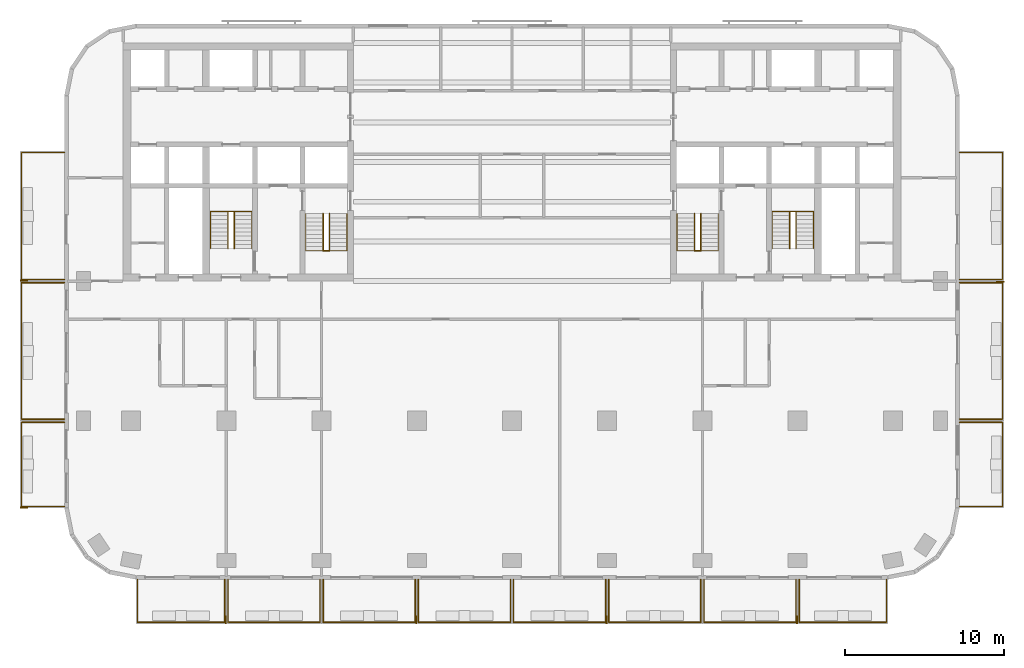
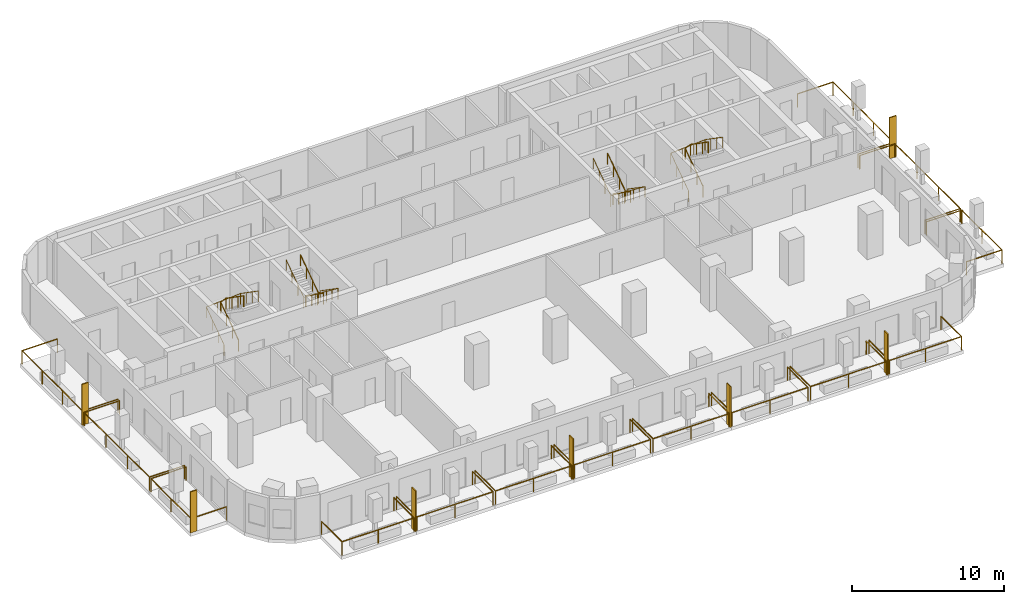
# One storey, part 9 of 11: 22 railings, 7 shading devices.
"""IFC4 building model written with IfcOpenShell, lengths in metres."""

from ifc_helpers import new_model, si_unit, direction, frame, origin, origin_2d, place, context, subcontext, project, spatial, rectangle, circle, extrude, material, layer, layer_set, type_object, element, save


model = new_model("IFC4")

# Units and contexts
model_context = context("Model", 3, precision=1e-05, world=origin(), true_north=direction((0.0, 1.0)))
body_context = subcontext(model_context, "Body", "Model", "MODEL_VIEW")
ifc_project = project(units=[si_unit("LENGTHUNIT", "METRE"), si_unit("AREAUNIT", "SQUARE_METRE"), si_unit("VOLUMEUNIT", "CUBIC_METRE"), si_unit("PLANEANGLEUNIT", "RADIAN"), si_unit("MASSUNIT", "GRAM", prefix="KILO")], contexts=[model_context])

# Site, building, storey
site_placement = place(None, origin())
site = spatial("IfcSite", under=ifc_project, at=site_placement, CompositionType="ELEMENT")
building_placement = place(site_placement, origin())
building = spatial("IfcBuilding", under=site, at=building_placement, Name="Torana Hotel and Residences", CompositionType="ELEMENT")
storey_placement = place(building_placement, frame((0.0, 0.0, 174.0)))
storey = spatial("IfcBuildingStorey", under=building, at=storey_placement, Name="L45", CompositionType="ELEMENT", Elevation=174.0)

# Shading devices
ifc_material_1 = material(Name="Black powder coated aluminium", Category="aluminium")
ifc_layer = layer(ifc_material_1, 0.080078125)
ifc_layer_set = layer_set([ifc_layer], Name="FN1 VERTICAL FIN 500x80")
shading_device_type = type_object("IfcShadingDeviceType", Name="FN1 VERTICAL FIN 500x80", PredefinedType="USERDEFINED", material=ifc_layer_set)
for number, where, z_axis, x_axis, name in (
    (1, (-18.0400390625, -36.35009765625, 0.0), (0.0, 0.0, 1.0), (-1.0, 0.0, 0.0), "Fin 01"),
    (2, (-6.0400390625, -36.35009765625, 0.0), (0.0, 0.0, 1.0), (-1.0, 0.0, 0.0), "Fin 03"),
    (3, (5.9599609375, -36.35009765625, 0.0), (0.0, 0.0, 1.0), (-1.0, 0.0, 0.0), "Fin 05"),
    (4, (17.9599609375, -36.35009765625, 0.0), (0.0, 0.0, 1.0), (-1.0, 0.0, 0.0), "Fin 07"),
    (5, (-30.75, -29.260009765625, 0.0), (0.0, 0.0, 1.0), (0.0, 1.0, 0.0), "Fin 09"),
    (6, (-30.75, -14.9599609375, 0.0), (0.0, 0.0, 1.0), (0.0, 1.0, 0.0), "Fin 11"),
    (7, (30.75, -15.0400390625, 0.0), (0.0, 0.0, 1.0), (0.0, -1.0, 0.0), "Fin 13"),
):
    element("IfcShadingDevice", number, at=place(storey_placement, frame(where, z_axis=z_axis, x_axis=x_axis)), inside=storey, type_object=shading_device_type, Name=name, ObjectType="FIN", PredefinedType="USERDEFINED", context=body_context, shape_type="SweptSolid", body=[
        extrude(rectangle(XDim=0.080078125, YDim=0.5, at=origin_2d()), origin(), (0.0, 0.0, 1.0), 3.300048828125),
    ])

# Railings
ifc_material_2 = material(Name="Laminated glass balustrade with black handrail", Category="glass")
railing_type_1 = type_object("IfcRailingType", Name="GR1 BALCONY GUARD 1100 GLASS", PredefinedType="GUARDRAIL", material=ifc_material_2)
railing_1_placement = place(storey_placement, frame((-18.10009765625, -33.800048828125, 0.0)))
element("IfcRailing", 8, at=railing_1_placement, inside=storey, type_object=railing_type_1, Name="Balcony guard 01", PredefinedType="GUARDRAIL", context=body_context, shape_type="SweptSolid", body=[
    extrude(circle(Radius=0.02392578125, at=origin_2d()), frame((0.0, 0.0, 1.076171875), z_axis=(0.0, -1.0, 0.0), x_axis=(1.0, 0.0, 0.0)), (0.0, 0.0, 1.0), 2.699951171875),
    extrude(circle(Radius=0.02392578125, at=origin_2d()), frame((0.0, -2.699951171875, 1.076171875), z_axis=(-1.0, 0.0, 0.0), x_axis=(0.0, -1.0, 0.0)), (0.0, 0.0, 1.0), 5.5),
    extrude(circle(Radius=0.02392578125, at=origin_2d()), frame((-5.5, -2.699951171875, 1.076171875), z_axis=(0.0, 1.0, 0.0), x_axis=(-1.0, 0.0, 0.0)), (0.0, 0.0, 1.0), 2.699951171875),
    extrude(circle(Radius=0.02099609375, at=origin_2d()), origin(), (0.0, 0.0, 1.0), 1.052001953125),
    extrude(circle(Radius=0.02099609375, at=origin_2d()), frame((0.0, -2.699951171875, 0.0)), (0.0, 0.0, 1.0), 1.052001953125),
    extrude(circle(Radius=0.02099609375, at=origin_2d()), frame((-2.75, -2.699951171875, 0.0)), (0.0, 0.0, 1.0), 1.052001953125),
    extrude(circle(Radius=0.02099609375, at=origin_2d()), frame((-5.5, -2.699951171875, 0.0)), (0.0, 0.0, 1.0), 1.052001953125),
    extrude(circle(Radius=0.02099609375, at=origin_2d()), frame((-5.5, 0.0, 0.0)), (0.0, 0.0, 1.0), 1.052001953125),
])
for number, where, name in (
    (9, (-12.10009765625, -33.800048828125, 0.0), "Balcony guard 02"),
    (10, (-6.10009765625, -33.800048828125, 0.0), "Balcony guard 03"),
    (11, (-0.10009765625, -33.800048828125, 0.0), "Balcony guard 04"),
    (12, (5.89990234375, -33.800048828125, 0.0), "Balcony guard 05"),
    (13, (11.89990234375, -33.800048828125, 0.0), "Balcony guard 06"),
    (14, (17.89990234375, -33.800048828125, 0.0), "Balcony guard 07"),
):
    element("IfcRailing", number, at=place(storey_placement, frame(where)), inside=storey, type_object=railing_type_1, Name=name, PredefinedType="GUARDRAIL", context=body_context, shape_type="SweptSolid", body=[
        extrude(circle(Radius=0.02392578125, at=origin_2d()), frame((0.0, 0.0, 1.076171875), z_axis=(0.0, -1.0, 0.0), x_axis=(1.0, 0.0, 0.0)), (0.0, 0.0, 1.0), 2.699951171875),
        extrude(circle(Radius=0.02392578125, at=origin_2d()), frame((0.0, -2.699951171875, 1.076171875), z_axis=(-1.0, 0.0, 0.0), x_axis=(0.0, -1.0, 0.0)), (0.0, 0.0, 1.0), 5.7998046875),
        extrude(circle(Radius=0.02392578125, at=origin_2d()), frame((-5.7998046875, -2.699951171875, 1.076171875), z_axis=(0.0, 1.0, 0.0), x_axis=(-1.0, 0.0, 0.0)), (0.0, 0.0, 1.0), 2.699951171875),
        extrude(circle(Radius=0.02099609375, at=origin_2d()), origin(), (0.0, 0.0, 1.0), 1.052001953125),
        extrude(circle(Radius=0.02099609375, at=origin_2d()), frame((0.0, -2.699951171875, 0.0)), (0.0, 0.0, 1.0), 1.052001953125),
        extrude(circle(Radius=0.02099609375, at=origin_2d()), frame((-2.89990234375, -2.699951171875, 0.0)), (0.0, 0.0, 1.0), 1.052001953125),
        extrude(circle(Radius=0.02099609375, at=origin_2d()), frame((-5.7998046875, -2.699951171875, 0.0)), (0.0, 0.0, 1.0), 1.052001953125),
        extrude(circle(Radius=0.02099609375, at=origin_2d()), frame((-5.7998046875, 0.0, 0.0)), (0.0, 0.0, 1.0), 1.052001953125),
    ])
railing_2_placement = place(storey_placement, frame((23.60009765625, -33.800048828125, 0.0)))
element("IfcRailing", 15, at=railing_2_placement, inside=storey, type_object=railing_type_1, Name="Balcony guard 08", PredefinedType="GUARDRAIL", context=body_context, shape_type="SweptSolid", body=[
    extrude(circle(Radius=0.02392578125, at=origin_2d()), frame((0.0, 0.0, 1.076171875), z_axis=(0.0, -1.0, 0.0), x_axis=(1.0, 0.0, 0.0)), (0.0, 0.0, 1.0), 2.699951171875),
    extrude(circle(Radius=0.02392578125, at=origin_2d()), frame((0.0, -2.699951171875, 1.076171875), z_axis=(-1.0, 0.0, 0.0), x_axis=(0.0, -1.0, 0.0)), (0.0, 0.0, 1.0), 5.5),
    extrude(circle(Radius=0.02392578125, at=origin_2d()), frame((-5.5, -2.699951171875, 1.076171875), z_axis=(0.0, 1.0, 0.0), x_axis=(-1.0, 0.0, 0.0)), (0.0, 0.0, 1.0), 2.699951171875),
    extrude(circle(Radius=0.02099609375, at=origin_2d()), origin(), (0.0, 0.0, 1.0), 1.052001953125),
    extrude(circle(Radius=0.02099609375, at=origin_2d()), frame((0.0, -2.699951171875, 0.0)), (0.0, 0.0, 1.0), 1.052001953125),
    extrude(circle(Radius=0.02099609375, at=origin_2d()), frame((-2.75, -2.699951171875, 0.0)), (0.0, 0.0, 1.0), 1.052001953125),
    extrude(circle(Radius=0.02099609375, at=origin_2d()), frame((-5.5, -2.699951171875, 0.0)), (0.0, 0.0, 1.0), 1.052001953125),
    extrude(circle(Radius=0.02099609375, at=origin_2d()), frame((-5.5, 0.0, 0.0)), (0.0, 0.0, 1.0), 1.052001953125),
])
railing_3_placement = place(storey_placement, frame((-28.199951171875, -29.199951171875, 0.0)))
element("IfcRailing", 16, at=railing_3_placement, inside=storey, type_object=railing_type_1, Name="Balcony guard 09", PredefinedType="GUARDRAIL", context=body_context, shape_type="SweptSolid", body=[
    extrude(circle(Radius=0.02392578125, at=origin_2d()), frame((0.0, 0.0, 1.076171875), z_axis=(-1.0, 0.0, 0.0), x_axis=(0.0, -1.0, 0.0)), (0.0, 0.0, 1.0), 2.699951171875),
    extrude(circle(Radius=0.02392578125, at=origin_2d()), frame((-2.699951171875, 0.0, 1.076171875), z_axis=(0.0, 1.0, 0.0), x_axis=(-1.0, 0.0, 0.0)), (0.0, 0.0, 1.0), 5.300048828125),
    extrude(circle(Radius=0.02392578125, at=origin_2d()), frame((-2.699951171875, 5.300048828125, 1.076171875), z_axis=(1.0, 0.0, 0.0), x_axis=(0.0, 1.0, 0.0)), (0.0, 0.0, 1.0), 2.699951171875),
    extrude(circle(Radius=0.02099609375, at=origin_2d()), origin(), (0.0, 0.0, 1.0), 1.052001953125),
    extrude(circle(Radius=0.02099609375, at=origin_2d()), frame((-2.699951171875, 0.0, 0.0)), (0.0, 0.0, 1.0), 1.052001953125),
    extrude(circle(Radius=0.02099609375, at=origin_2d()), frame((-2.699951171875, 2.64990234375, 0.0)), (0.0, 0.0, 1.0), 1.052001953125),
    extrude(circle(Radius=0.02099609375, at=origin_2d()), frame((-2.699951171875, 5.300048828125, 0.0)), (0.0, 0.0, 1.0), 1.052001953125),
    extrude(circle(Radius=0.02099609375, at=origin_2d()), frame((0.0, 5.300048828125, 0.0)), (0.0, 0.0, 1.0), 1.052001953125),
])
railing_4_placement = place(storey_placement, frame((-28.199951171875, -23.699951171875, 0.0)))
element("IfcRailing", 17, at=railing_4_placement, inside=storey, type_object=railing_type_1, Name="Balcony guard 10", PredefinedType="GUARDRAIL", context=body_context, shape_type="SweptSolid", body=[
    extrude(circle(Radius=0.02392578125, at=origin_2d()), frame((0.0, 0.0, 1.076171875), z_axis=(-1.0, 0.0, 0.0), x_axis=(0.0, -1.0, 0.0)), (0.0, 0.0, 1.0), 2.699951171875),
    extrude(circle(Radius=0.02392578125, at=origin_2d()), frame((-2.699951171875, 0.0, 1.076171875), z_axis=(0.0, 1.0, 0.0), x_axis=(-1.0, 0.0, 0.0)), (0.0, 0.0, 1.0), 8.599853515625),
    extrude(circle(Radius=0.02392578125, at=origin_2d()), frame((-2.699951171875, 8.599853515625, 1.076171875), z_axis=(1.0, 0.0, 0.0), x_axis=(0.0, 1.0, 0.0)), (0.0, 0.0, 1.0), 2.699951171875),
    extrude(circle(Radius=0.02099609375, at=origin_2d()), origin(), (0.0, 0.0, 1.0), 1.052001953125),
    extrude(circle(Radius=0.02099609375, at=origin_2d()), frame((-2.699951171875, 0.0, 0.0)), (0.0, 0.0, 1.0), 1.052001953125),
    extrude(circle(Radius=0.02099609375, at=origin_2d()), frame((-2.699951171875, 2.86669921875, 0.0)), (0.0, 0.0, 1.0), 1.052001953125),
    extrude(circle(Radius=0.02099609375, at=origin_2d()), frame((-2.699951171875, 5.733154296875, 0.0)), (0.0, 0.0, 1.0), 1.052001953125),
    extrude(circle(Radius=0.02099609375, at=origin_2d()), frame((-2.699951171875, 8.599853515625, 0.0)), (0.0, 0.0, 1.0), 1.052001953125),
    extrude(circle(Radius=0.02099609375, at=origin_2d()), frame((0.0, 8.599853515625, 0.0)), (0.0, 0.0, 1.0), 1.052001953125),
])
railing_5_placement = place(storey_placement, frame((-28.199951171875, -14.89990234375, 0.0)))
element("IfcRailing", 18, at=railing_5_placement, inside=storey, type_object=railing_type_1, Name="Balcony guard 11", PredefinedType="GUARDRAIL", context=body_context, shape_type="SweptSolid", body=[
    extrude(circle(Radius=0.02392578125, at=origin_2d()), frame((0.0, 0.0, 1.076171875), z_axis=(-1.0, 0.0, 0.0), x_axis=(0.0, -1.0, 0.0)), (0.0, 0.0, 1.0), 2.699951171875),
    extrude(circle(Radius=0.02392578125, at=origin_2d()), frame((-2.699951171875, 0.0, 1.076171875), z_axis=(0.0, 1.0, 0.0), x_axis=(-1.0, 0.0, 0.0)), (0.0, 0.0, 1.0), 8.0),
    extrude(circle(Radius=0.02392578125, at=origin_2d()), frame((-2.699951171875, 8.0, 1.076171875), z_axis=(1.0, 0.0, 0.0), x_axis=(0.0, 1.0, 0.0)), (0.0, 0.0, 1.0), 2.699951171875),
    extrude(circle(Radius=0.02099609375, at=origin_2d()), origin(), (0.0, 0.0, 1.0), 1.052001953125),
    extrude(circle(Radius=0.02099609375, at=origin_2d()), frame((-2.699951171875, 0.0, 0.0)), (0.0, 0.0, 1.0), 1.052001953125),
    extrude(circle(Radius=0.02099609375, at=origin_2d()), frame((-2.699951171875, 2.666748046875, 0.0)), (0.0, 0.0, 1.0), 1.052001953125),
    extrude(circle(Radius=0.02099609375, at=origin_2d()), frame((-2.699951171875, 5.333251953125, 0.0)), (0.0, 0.0, 1.0), 1.052001953125),
    extrude(circle(Radius=0.02099609375, at=origin_2d()), frame((-2.699951171875, 8.0, 0.0)), (0.0, 0.0, 1.0), 1.052001953125),
    extrude(circle(Radius=0.02099609375, at=origin_2d()), frame((0.0, 8.0, 0.0)), (0.0, 0.0, 1.0), 1.052001953125),
])
railing_6_placement = place(storey_placement, frame((28.199951171875, -23.89990234375, 0.0)))
element("IfcRailing", 19, at=railing_6_placement, inside=storey, type_object=railing_type_1, Name="Balcony guard 12", PredefinedType="GUARDRAIL", context=body_context, shape_type="SweptSolid", body=[
    extrude(circle(Radius=0.02392578125, at=origin_2d()), frame((0.0, 0.0, 1.076171875), z_axis=(1.0, 0.0, 0.0), x_axis=(0.0, 1.0, 0.0)), (0.0, 0.0, 1.0), 2.699951171875),
    extrude(circle(Radius=0.02392578125, at=origin_2d()), frame((2.699951171875, 0.0, 1.076171875), z_axis=(0.0, -1.0, 0.0), x_axis=(1.0, 0.0, 0.0)), (0.0, 0.0, 1.0), 5.300048828125),
    extrude(circle(Radius=0.02392578125, at=origin_2d()), frame((2.699951171875, -5.300048828125, 1.076171875), z_axis=(-1.0, 0.0, 0.0), x_axis=(0.0, -1.0, 0.0)), (0.0, 0.0, 1.0), 2.699951171875),
    extrude(circle(Radius=0.02099609375, at=origin_2d()), origin(), (0.0, 0.0, 1.0), 1.052001953125),
    extrude(circle(Radius=0.02099609375, at=origin_2d()), frame((2.699951171875, 0.0, 0.0)), (0.0, 0.0, 1.0), 1.052001953125),
    extrude(circle(Radius=0.02099609375, at=origin_2d()), frame((2.699951171875, -2.64990234375, 0.0)), (0.0, 0.0, 1.0), 1.052001953125),
    extrude(circle(Radius=0.02099609375, at=origin_2d()), frame((2.699951171875, -5.300048828125, 0.0)), (0.0, 0.0, 1.0), 1.052001953125),
    extrude(circle(Radius=0.02099609375, at=origin_2d()), frame((0.0, -5.300048828125, 0.0)), (0.0, 0.0, 1.0), 1.052001953125),
])
railing_7_placement = place(storey_placement, frame((28.199951171875, -15.10009765625, 0.0)))
element("IfcRailing", 20, at=railing_7_placement, inside=storey, type_object=railing_type_1, Name="Balcony guard 13", PredefinedType="GUARDRAIL", context=body_context, shape_type="SweptSolid", body=[
    extrude(circle(Radius=0.02392578125, at=origin_2d()), frame((0.0, 0.0, 1.076171875), z_axis=(1.0, 0.0, 0.0), x_axis=(0.0, 1.0, 0.0)), (0.0, 0.0, 1.0), 2.699951171875),
    extrude(circle(Radius=0.02392578125, at=origin_2d()), frame((2.699951171875, 0.0, 1.076171875), z_axis=(0.0, -1.0, 0.0), x_axis=(1.0, 0.0, 0.0)), (0.0, 0.0, 1.0), 8.599853515625),
    extrude(circle(Radius=0.02392578125, at=origin_2d()), frame((2.699951171875, -8.599853515625, 1.076171875), z_axis=(-1.0, 0.0, 0.0), x_axis=(0.0, -1.0, 0.0)), (0.0, 0.0, 1.0), 2.699951171875),
    extrude(circle(Radius=0.02099609375, at=origin_2d()), origin(), (0.0, 0.0, 1.0), 1.052001953125),
    extrude(circle(Radius=0.02099609375, at=origin_2d()), frame((2.699951171875, 0.0, 0.0)), (0.0, 0.0, 1.0), 1.052001953125),
    extrude(circle(Radius=0.02099609375, at=origin_2d()), frame((2.699951171875, -2.86669921875, 0.0)), (0.0, 0.0, 1.0), 1.052001953125),
    extrude(circle(Radius=0.02099609375, at=origin_2d()), frame((2.699951171875, -5.733154296875, 0.0)), (0.0, 0.0, 1.0), 1.052001953125),
    extrude(circle(Radius=0.02099609375, at=origin_2d()), frame((2.699951171875, -8.599853515625, 0.0)), (0.0, 0.0, 1.0), 1.052001953125),
    extrude(circle(Radius=0.02099609375, at=origin_2d()), frame((0.0, -8.599853515625, 0.0)), (0.0, 0.0, 1.0), 1.052001953125),
])
railing_8_placement = place(storey_placement, frame((28.199951171875, -6.89990234375, 0.0)))
element("IfcRailing", 21, at=railing_8_placement, inside=storey, type_object=railing_type_1, Name="Balcony guard 14", PredefinedType="GUARDRAIL", context=body_context, shape_type="SweptSolid", body=[
    extrude(circle(Radius=0.02392578125, at=origin_2d()), frame((0.0, 0.0, 1.076171875), z_axis=(1.0, 0.0, 0.0), x_axis=(0.0, 1.0, 0.0)), (0.0, 0.0, 1.0), 2.699951171875),
    extrude(circle(Radius=0.02392578125, at=origin_2d()), frame((2.699951171875, 0.0, 1.076171875), z_axis=(0.0, -1.0, 0.0), x_axis=(1.0, 0.0, 0.0)), (0.0, 0.0, 1.0), 8.0),
    extrude(circle(Radius=0.02392578125, at=origin_2d()), frame((2.699951171875, -8.0, 1.076171875), z_axis=(-1.0, 0.0, 0.0), x_axis=(0.0, -1.0, 0.0)), (0.0, 0.0, 1.0), 2.699951171875),
    extrude(circle(Radius=0.02099609375, at=origin_2d()), origin(), (0.0, 0.0, 1.0), 1.052001953125),
    extrude(circle(Radius=0.02099609375, at=origin_2d()), frame((2.699951171875, 0.0, 0.0)), (0.0, 0.0, 1.0), 1.052001953125),
    extrude(circle(Radius=0.02099609375, at=origin_2d()), frame((2.699951171875, -2.666748046875, 0.0)), (0.0, 0.0, 1.0), 1.052001953125),
    extrude(circle(Radius=0.02099609375, at=origin_2d()), frame((2.699951171875, -5.333251953125, 0.0)), (0.0, 0.0, 1.0), 1.052001953125),
    extrude(circle(Radius=0.02099609375, at=origin_2d()), frame((2.699951171875, -8.0, 0.0)), (0.0, 0.0, 1.0), 1.052001953125),
    extrude(circle(Radius=0.02099609375, at=origin_2d()), frame((0.0, -8.0, 0.0)), (0.0, 0.0, 1.0), 1.052001953125),
])
ifc_material_3 = material(Name="Stainless steel 316", Category="steel")
railing_type_2 = type_object("IfcRailingType", Name="STAIR HANDRAIL HR1 900", PredefinedType="HANDRAIL", material=ifc_material_3)
railing_9_placement = place(storey_placement, frame((-10.39990234375, -10.75, 0.179931640625)))
element("IfcRailing", 22, at=railing_9_placement, inside=storey, type_object=railing_type_2, Name="Handrail ST1 L45 O1", PredefinedType="HANDRAIL", context=body_context, shape_type="SweptSolid", body=[
    extrude(circle(Radius=0.02392578125, at=origin_2d()), frame((0.0, 0.0, 0.8759765625), z_axis=(0.0, -0.822182927502, 0.569223360136), x_axis=(1.0, 0.0, 0.0)), (0.0, 0.0, 1.0), 2.84619140625),
    extrude(circle(Radius=0.02392578125, at=origin_2d()), frame((0.0, -2.340087890625, 2.49609375), z_axis=(-0.997614115953, 0.0, 0.069036770278), x_axis=(0.0, -1.0, 0.0)), (0.0, 0.0, 1.0), 2.606201171875),
    extrude(circle(Radius=0.02392578125, at=origin_2d()), frame((-2.60009765625, -2.340087890625, 2.67578125), z_axis=(0.0, 0.822182927502, 0.569223360136), x_axis=(-1.0, 0.0, 0.0)), (0.0, 0.0, 1.0), 2.84619140625),
    extrude(circle(Radius=0.02099609375, at=origin_2d()), origin(), (0.0, 0.0, 1.0), 0.851806640625),
    extrude(circle(Radius=0.02099609375, at=origin_2d()), frame((0.0, -0.780029296875, 0.5400390625)), (0.0, 0.0, 1.0), 0.851806640625),
    extrude(circle(Radius=0.02099609375, at=origin_2d()), frame((0.0, -1.56005859375, 1.080078125)), (0.0, 0.0, 1.0), 0.851806640625),
    extrude(circle(Radius=0.02099609375, at=origin_2d()), frame((0.0, -2.340087890625, 1.6201171875)), (0.0, 0.0, 1.0), 0.851806640625),
    extrude(circle(Radius=0.02099609375, at=origin_2d()), frame((-0.86669921875, -2.340087890625, 1.68017578125)), (0.0, 0.0, 1.0), 0.851806640625),
    extrude(circle(Radius=0.02099609375, at=origin_2d()), frame((-1.7333984375, -2.340087890625, 1.739990234375)), (0.0, 0.0, 1.0), 0.851806640625),
    extrude(circle(Radius=0.02099609375, at=origin_2d()), frame((-2.60009765625, -2.340087890625, 1.800048828125)), (0.0, 0.0, 1.0), 0.851806640625),
    extrude(circle(Radius=0.02099609375, at=origin_2d()), frame((-2.60009765625, -1.56005859375, 2.340087890625)), (0.0, 0.0, 1.0), 0.851806640625),
    extrude(circle(Radius=0.02099609375, at=origin_2d()), frame((-2.60009765625, -0.780029296875, 2.880126953125)), (0.0, 0.0, 1.0), 0.851806640625),
    extrude(circle(Radius=0.02099609375, at=origin_2d()), frame((-2.60009765625, 0.0, 3.420166015625)), (0.0, 0.0, 1.0), 0.851806640625),
])
railing_10_placement = place(storey_placement, frame((-11.5, -10.75, 0.179931640625)))
element("IfcRailing", 23, at=railing_10_placement, inside=storey, type_object=railing_type_2, Name="Handrail ST1 L45 I1", PredefinedType="HANDRAIL", context=body_context, shape_type="SweptSolid", body=[
    extrude(circle(Radius=0.02392578125, at=origin_2d()), frame((0.0, 0.0, 0.8759765625), z_axis=(0.0, -0.822182927502, 0.569223360136), x_axis=(1.0, 0.0, 0.0)), (0.0, 0.0, 1.0), 2.84619140625),
    extrude(circle(Radius=0.02392578125, at=origin_2d()), frame((0.0, -2.340087890625, 2.49609375), z_axis=(-0.911942338396, 0.0, 0.410318378143), x_axis=(0.0, -1.0, 0.0)), (0.0, 0.0, 1.0), 0.4384765625),
    extrude(circle(Radius=0.02392578125, at=origin_2d()), frame((-0.39990234375, -2.340087890625, 2.67578125), z_axis=(0.0, 0.822182927502, 0.569223360136), x_axis=(-1.0, 0.0, 0.0)), (0.0, 0.0, 1.0), 2.84619140625),
    extrude(circle(Radius=0.02099609375, at=origin_2d()), origin(), (0.0, 0.0, 1.0), 0.851806640625),
    extrude(circle(Radius=0.02099609375, at=origin_2d()), frame((0.0, -0.780029296875, 0.5400390625)), (0.0, 0.0, 1.0), 0.851806640625),
    extrude(circle(Radius=0.02099609375, at=origin_2d()), frame((0.0, -1.56005859375, 1.080078125)), (0.0, 0.0, 1.0), 0.851806640625),
    extrude(circle(Radius=0.02099609375, at=origin_2d()), frame((0.0, -2.340087890625, 1.6201171875)), (0.0, 0.0, 1.0), 0.851806640625),
    extrude(circle(Radius=0.02099609375, at=origin_2d()), frame((-0.39990234375, -2.340087890625, 1.800048828125)), (0.0, 0.0, 1.0), 0.851806640625),
    extrude(circle(Radius=0.02099609375, at=origin_2d()), frame((-0.39990234375, -1.56005859375, 2.340087890625)), (0.0, 0.0, 1.0), 0.851806640625),
    extrude(circle(Radius=0.02099609375, at=origin_2d()), frame((-0.39990234375, -0.780029296875, 2.880126953125)), (0.0, 0.0, 1.0), 0.851806640625),
    extrude(circle(Radius=0.02099609375, at=origin_2d()), frame((-0.39990234375, 0.0, 3.420166015625)), (0.0, 0.0, 1.0), 0.851806640625),
])
railing_11_placement = place(storey_placement, frame((-19.0, -12.949951171875, 0.179931640625)))
element("IfcRailing", 24, at=railing_11_placement, inside=storey, type_object=railing_type_2, Name="Handrail ST2 L45 O1", PredefinedType="HANDRAIL", context=body_context, shape_type="SweptSolid", body=[
    extrude(circle(Radius=0.02392578125, at=origin_2d()), frame((0.0, 0.0, 0.8759765625), z_axis=(0.0, 0.822155131156, 0.569263506923), x_axis=(-1.0, 0.0, 0.0)), (0.0, 0.0, 1.0), 2.845947265625),
    extrude(circle(Radius=0.02392578125, at=origin_2d()), frame((0.0, 2.33984375, 2.49609375), z_axis=(0.997614115953, 0.0, 0.069036770278), x_axis=(0.0, 1.0, 0.0)), (0.0, 0.0, 1.0), 2.606201171875),
    extrude(circle(Radius=0.02392578125, at=origin_2d()), frame((2.60009765625, 2.33984375, 2.67578125), z_axis=(0.0, -0.822155131156, 0.569263506923), x_axis=(1.0, 0.0, 0.0)), (0.0, 0.0, 1.0), 2.845947265625),
    extrude(circle(Radius=0.02099609375, at=origin_2d()), origin(), (0.0, 0.0, 1.0), 0.851806640625),
    extrude(circle(Radius=0.02099609375, at=origin_2d()), frame((0.0, 0.780029296875, 0.5400390625)), (0.0, 0.0, 1.0), 0.851806640625),
    extrude(circle(Radius=0.02099609375, at=origin_2d()), frame((0.0, 1.559814453125, 1.080078125)), (0.0, 0.0, 1.0), 0.851806640625),
    extrude(circle(Radius=0.02099609375, at=origin_2d()), frame((0.0, 2.33984375, 1.6201171875)), (0.0, 0.0, 1.0), 0.851806640625),
    extrude(circle(Radius=0.02099609375, at=origin_2d()), frame((0.86669921875, 2.33984375, 1.68017578125)), (0.0, 0.0, 1.0), 0.851806640625),
    extrude(circle(Radius=0.02099609375, at=origin_2d()), frame((1.7333984375, 2.33984375, 1.739990234375)), (0.0, 0.0, 1.0), 0.851806640625),
    extrude(circle(Radius=0.02099609375, at=origin_2d()), frame((2.60009765625, 2.33984375, 1.800048828125)), (0.0, 0.0, 1.0), 0.851806640625),
    extrude(circle(Radius=0.02099609375, at=origin_2d()), frame((2.60009765625, 1.559814453125, 2.340087890625)), (0.0, 0.0, 1.0), 0.851806640625),
    extrude(circle(Radius=0.02099609375, at=origin_2d()), frame((2.60009765625, 0.780029296875, 2.880126953125)), (0.0, 0.0, 1.0), 0.851806640625),
    extrude(circle(Radius=0.02099609375, at=origin_2d()), frame((2.60009765625, 0.0, 3.420166015625)), (0.0, 0.0, 1.0), 0.851806640625),
])
railing_12_placement = place(storey_placement, frame((-17.89990234375, -12.949951171875, 0.179931640625)))
element("IfcRailing", 25, at=railing_12_placement, inside=storey, type_object=railing_type_2, Name="Handrail ST2 L45 I1", PredefinedType="HANDRAIL", context=body_context, shape_type="SweptSolid", body=[
    extrude(circle(Radius=0.02392578125, at=origin_2d()), frame((0.0, 0.0, 0.8759765625), z_axis=(0.0, 0.822155131156, 0.569263506923), x_axis=(-1.0, 0.0, 0.0)), (0.0, 0.0, 1.0), 2.845947265625),
    extrude(circle(Radius=0.02392578125, at=origin_2d()), frame((0.0, 2.33984375, 2.49609375), z_axis=(0.911942338396, 0.0, 0.410318378143), x_axis=(0.0, 1.0, 0.0)), (0.0, 0.0, 1.0), 0.4384765625),
    extrude(circle(Radius=0.02392578125, at=origin_2d()), frame((0.39990234375, 2.33984375, 2.67578125), z_axis=(0.0, -0.822155131156, 0.569263506923), x_axis=(1.0, 0.0, 0.0)), (0.0, 0.0, 1.0), 2.845947265625),
    extrude(circle(Radius=0.02099609375, at=origin_2d()), origin(), (0.0, 0.0, 1.0), 0.851806640625),
    extrude(circle(Radius=0.02099609375, at=origin_2d()), frame((0.0, 0.780029296875, 0.5400390625)), (0.0, 0.0, 1.0), 0.851806640625),
    extrude(circle(Radius=0.02099609375, at=origin_2d()), frame((0.0, 1.559814453125, 1.080078125)), (0.0, 0.0, 1.0), 0.851806640625),
    extrude(circle(Radius=0.02099609375, at=origin_2d()), frame((0.0, 2.33984375, 1.6201171875)), (0.0, 0.0, 1.0), 0.851806640625),
    extrude(circle(Radius=0.02099609375, at=origin_2d()), frame((0.39990234375, 2.33984375, 1.800048828125)), (0.0, 0.0, 1.0), 0.851806640625),
    extrude(circle(Radius=0.02099609375, at=origin_2d()), frame((0.39990234375, 1.559814453125, 2.340087890625)), (0.0, 0.0, 1.0), 0.851806640625),
    extrude(circle(Radius=0.02099609375, at=origin_2d()), frame((0.39990234375, 0.780029296875, 2.880126953125)), (0.0, 0.0, 1.0), 0.851806640625),
    extrude(circle(Radius=0.02099609375, at=origin_2d()), frame((0.39990234375, 0.0, 3.420166015625)), (0.0, 0.0, 1.0), 0.851806640625),
])
railing_13_placement = place(storey_placement, frame((13.0, -10.75, 0.179931640625)))
element("IfcRailing", 26, at=railing_13_placement, inside=storey, type_object=railing_type_2, Name="Handrail ST3 L45 O1", PredefinedType="HANDRAIL", context=body_context, shape_type="SweptSolid", body=[
    extrude(circle(Radius=0.02392578125, at=origin_2d()), frame((0.0, 0.0, 0.8759765625), z_axis=(0.0, -0.822182927502, 0.569223360136), x_axis=(1.0, 0.0, 0.0)), (0.0, 0.0, 1.0), 2.84619140625),
    extrude(circle(Radius=0.02392578125, at=origin_2d()), frame((0.0, -2.340087890625, 2.49609375), z_axis=(-0.997614115953, 0.0, 0.069036770278), x_axis=(0.0, -1.0, 0.0)), (0.0, 0.0, 1.0), 2.606201171875),
    extrude(circle(Radius=0.02392578125, at=origin_2d()), frame((-2.60009765625, -2.340087890625, 2.67578125), z_axis=(0.0, 0.822182927502, 0.569223360136), x_axis=(-1.0, 0.0, 0.0)), (0.0, 0.0, 1.0), 2.84619140625),
    extrude(circle(Radius=0.02099609375, at=origin_2d()), origin(), (0.0, 0.0, 1.0), 0.851806640625),
    extrude(circle(Radius=0.02099609375, at=origin_2d()), frame((0.0, -0.780029296875, 0.5400390625)), (0.0, 0.0, 1.0), 0.851806640625),
    extrude(circle(Radius=0.02099609375, at=origin_2d()), frame((0.0, -1.56005859375, 1.080078125)), (0.0, 0.0, 1.0), 0.851806640625),
    extrude(circle(Radius=0.02099609375, at=origin_2d()), frame((0.0, -2.340087890625, 1.6201171875)), (0.0, 0.0, 1.0), 0.851806640625),
    extrude(circle(Radius=0.02099609375, at=origin_2d()), frame((-0.86669921875, -2.340087890625, 1.68017578125)), (0.0, 0.0, 1.0), 0.851806640625),
    extrude(circle(Radius=0.02099609375, at=origin_2d()), frame((-1.7333984375, -2.340087890625, 1.739990234375)), (0.0, 0.0, 1.0), 0.851806640625),
    extrude(circle(Radius=0.02099609375, at=origin_2d()), frame((-2.60009765625, -2.340087890625, 1.800048828125)), (0.0, 0.0, 1.0), 0.851806640625),
    extrude(circle(Radius=0.02099609375, at=origin_2d()), frame((-2.60009765625, -1.56005859375, 2.340087890625)), (0.0, 0.0, 1.0), 0.851806640625),
    extrude(circle(Radius=0.02099609375, at=origin_2d()), frame((-2.60009765625, -0.780029296875, 2.880126953125)), (0.0, 0.0, 1.0), 0.851806640625),
    extrude(circle(Radius=0.02099609375, at=origin_2d()), frame((-2.60009765625, 0.0, 3.420166015625)), (0.0, 0.0, 1.0), 0.851806640625),
])
railing_14_placement = place(storey_placement, frame((11.89990234375, -10.75, 0.179931640625)))
element("IfcRailing", 27, at=railing_14_placement, inside=storey, type_object=railing_type_2, Name="Handrail ST3 L45 I1", PredefinedType="HANDRAIL", context=body_context, shape_type="SweptSolid", body=[
    extrude(circle(Radius=0.02392578125, at=origin_2d()), frame((0.0, 0.0, 0.8759765625), z_axis=(0.0, -0.822182927502, 0.569223360136), x_axis=(1.0, 0.0, 0.0)), (0.0, 0.0, 1.0), 2.84619140625),
    extrude(circle(Radius=0.02392578125, at=origin_2d()), frame((0.0, -2.340087890625, 2.49609375), z_axis=(-0.911942338396, 0.0, 0.410318378143), x_axis=(0.0, -1.0, 0.0)), (0.0, 0.0, 1.0), 0.4384765625),
    extrude(circle(Radius=0.02392578125, at=origin_2d()), frame((-0.39990234375, -2.340087890625, 2.67578125), z_axis=(0.0, 0.822182927502, 0.569223360136), x_axis=(-1.0, 0.0, 0.0)), (0.0, 0.0, 1.0), 2.84619140625),
    extrude(circle(Radius=0.02099609375, at=origin_2d()), origin(), (0.0, 0.0, 1.0), 0.851806640625),
    extrude(circle(Radius=0.02099609375, at=origin_2d()), frame((0.0, -0.780029296875, 0.5400390625)), (0.0, 0.0, 1.0), 0.851806640625),
    extrude(circle(Radius=0.02099609375, at=origin_2d()), frame((0.0, -1.56005859375, 1.080078125)), (0.0, 0.0, 1.0), 0.851806640625),
    extrude(circle(Radius=0.02099609375, at=origin_2d()), frame((0.0, -2.340087890625, 1.6201171875)), (0.0, 0.0, 1.0), 0.851806640625),
    extrude(circle(Radius=0.02099609375, at=origin_2d()), frame((-0.39990234375, -2.340087890625, 1.800048828125)), (0.0, 0.0, 1.0), 0.851806640625),
    extrude(circle(Radius=0.02099609375, at=origin_2d()), frame((-0.39990234375, -1.56005859375, 2.340087890625)), (0.0, 0.0, 1.0), 0.851806640625),
    extrude(circle(Radius=0.02099609375, at=origin_2d()), frame((-0.39990234375, -0.780029296875, 2.880126953125)), (0.0, 0.0, 1.0), 0.851806640625),
    extrude(circle(Radius=0.02099609375, at=origin_2d()), frame((-0.39990234375, 0.0, 3.420166015625)), (0.0, 0.0, 1.0), 0.851806640625),
])
railing_15_placement = place(storey_placement, frame((16.39990234375, -12.949951171875, 0.179931640625)))
element("IfcRailing", 28, at=railing_15_placement, inside=storey, type_object=railing_type_2, Name="Handrail ST4 L45 O1", PredefinedType="HANDRAIL", context=body_context, shape_type="SweptSolid", body=[
    extrude(circle(Radius=0.02392578125, at=origin_2d()), frame((0.0, 0.0, 0.8759765625), z_axis=(0.0, 0.822155131156, 0.569263506923), x_axis=(-1.0, 0.0, 0.0)), (0.0, 0.0, 1.0), 2.845947265625),
    extrude(circle(Radius=0.02392578125, at=origin_2d()), frame((0.0, 2.33984375, 2.49609375), z_axis=(0.997614115953, 0.0, 0.069036770278), x_axis=(0.0, 1.0, 0.0)), (0.0, 0.0, 1.0), 2.606201171875),
    extrude(circle(Radius=0.02392578125, at=origin_2d()), frame((2.60009765625, 2.33984375, 2.67578125), z_axis=(0.0, -0.822155131156, 0.569263506923), x_axis=(1.0, 0.0, 0.0)), (0.0, 0.0, 1.0), 2.845947265625),
    extrude(circle(Radius=0.02099609375, at=origin_2d()), origin(), (0.0, 0.0, 1.0), 0.851806640625),
    extrude(circle(Radius=0.02099609375, at=origin_2d()), frame((0.0, 0.780029296875, 0.5400390625)), (0.0, 0.0, 1.0), 0.851806640625),
    extrude(circle(Radius=0.02099609375, at=origin_2d()), frame((0.0, 1.559814453125, 1.080078125)), (0.0, 0.0, 1.0), 0.851806640625),
    extrude(circle(Radius=0.02099609375, at=origin_2d()), frame((0.0, 2.33984375, 1.6201171875)), (0.0, 0.0, 1.0), 0.851806640625),
    extrude(circle(Radius=0.02099609375, at=origin_2d()), frame((0.86669921875, 2.33984375, 1.68017578125)), (0.0, 0.0, 1.0), 0.851806640625),
    extrude(circle(Radius=0.02099609375, at=origin_2d()), frame((1.7333984375, 2.33984375, 1.739990234375)), (0.0, 0.0, 1.0), 0.851806640625),
    extrude(circle(Radius=0.02099609375, at=origin_2d()), frame((2.60009765625, 2.33984375, 1.800048828125)), (0.0, 0.0, 1.0), 0.851806640625),
    extrude(circle(Radius=0.02099609375, at=origin_2d()), frame((2.60009765625, 1.559814453125, 2.340087890625)), (0.0, 0.0, 1.0), 0.851806640625),
    extrude(circle(Radius=0.02099609375, at=origin_2d()), frame((2.60009765625, 0.780029296875, 2.880126953125)), (0.0, 0.0, 1.0), 0.851806640625),
    extrude(circle(Radius=0.02099609375, at=origin_2d()), frame((2.60009765625, 0.0, 3.420166015625)), (0.0, 0.0, 1.0), 0.851806640625),
])
railing_16_placement = place(storey_placement, frame((17.5, -12.949951171875, 0.179931640625)))
element("IfcRailing", 29, at=railing_16_placement, inside=storey, type_object=railing_type_2, Name="Handrail ST4 L45 I1", PredefinedType="HANDRAIL", context=body_context, shape_type="SweptSolid", body=[
    extrude(circle(Radius=0.02392578125, at=origin_2d()), frame((0.0, 0.0, 0.8759765625), z_axis=(0.0, 0.822155131156, 0.569263506923), x_axis=(-1.0, 0.0, 0.0)), (0.0, 0.0, 1.0), 2.845947265625),
    extrude(circle(Radius=0.02392578125, at=origin_2d()), frame((0.0, 2.33984375, 2.49609375), z_axis=(0.911942338396, 0.0, 0.410318378143), x_axis=(0.0, 1.0, 0.0)), (0.0, 0.0, 1.0), 0.4384765625),
    extrude(circle(Radius=0.02392578125, at=origin_2d()), frame((0.39990234375, 2.33984375, 2.67578125), z_axis=(0.0, -0.822155131156, 0.569263506923), x_axis=(1.0, 0.0, 0.0)), (0.0, 0.0, 1.0), 2.845947265625),
    extrude(circle(Radius=0.02099609375, at=origin_2d()), origin(), (0.0, 0.0, 1.0), 0.851806640625),
    extrude(circle(Radius=0.02099609375, at=origin_2d()), frame((0.0, 0.780029296875, 0.5400390625)), (0.0, 0.0, 1.0), 0.851806640625),
    extrude(circle(Radius=0.02099609375, at=origin_2d()), frame((0.0, 1.559814453125, 1.080078125)), (0.0, 0.0, 1.0), 0.851806640625),
    extrude(circle(Radius=0.02099609375, at=origin_2d()), frame((0.0, 2.33984375, 1.6201171875)), (0.0, 0.0, 1.0), 0.851806640625),
    extrude(circle(Radius=0.02099609375, at=origin_2d()), frame((0.39990234375, 2.33984375, 1.800048828125)), (0.0, 0.0, 1.0), 0.851806640625),
    extrude(circle(Radius=0.02099609375, at=origin_2d()), frame((0.39990234375, 1.559814453125, 2.340087890625)), (0.0, 0.0, 1.0), 0.851806640625),
    extrude(circle(Radius=0.02099609375, at=origin_2d()), frame((0.39990234375, 0.780029296875, 2.880126953125)), (0.0, 0.0, 1.0), 0.851806640625),
    extrude(circle(Radius=0.02099609375, at=origin_2d()), frame((0.39990234375, 0.0, 3.420166015625)), (0.0, 0.0, 1.0), 0.851806640625),
])

save(model, "model.ifc")
